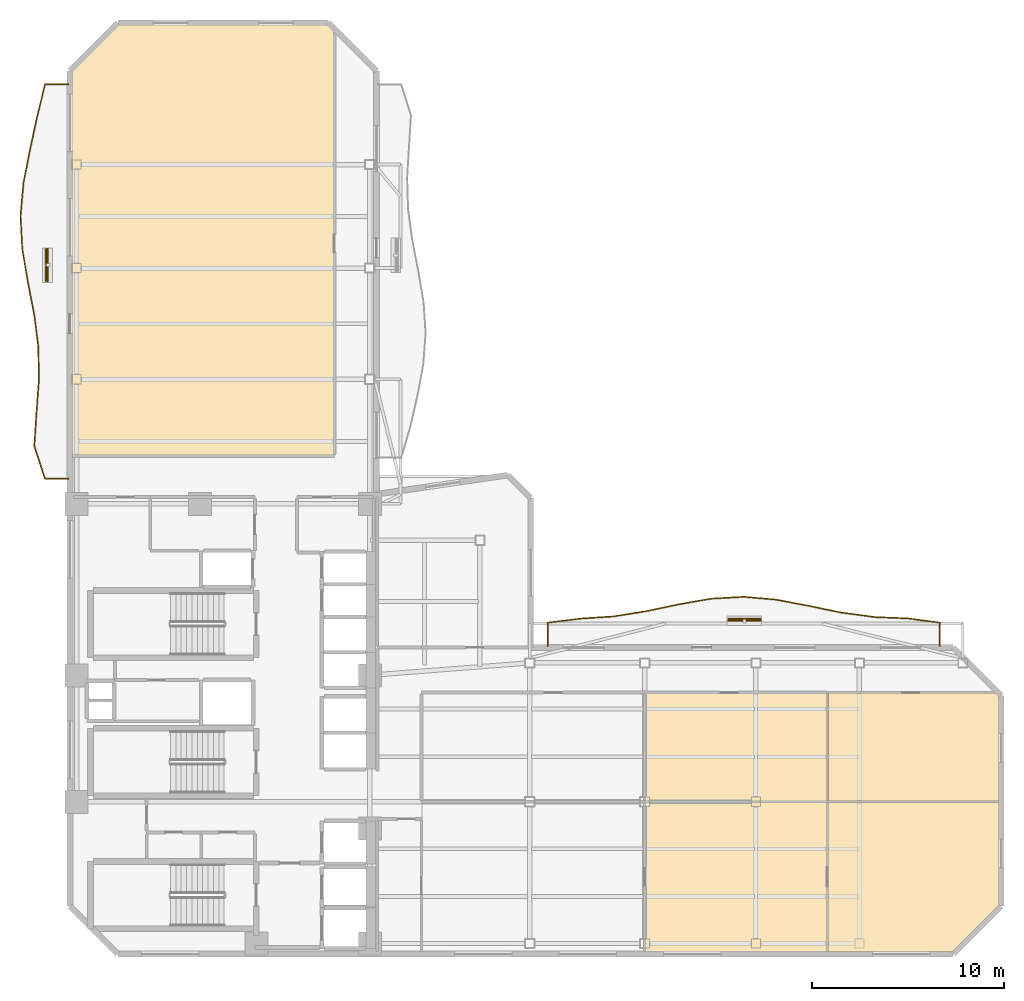
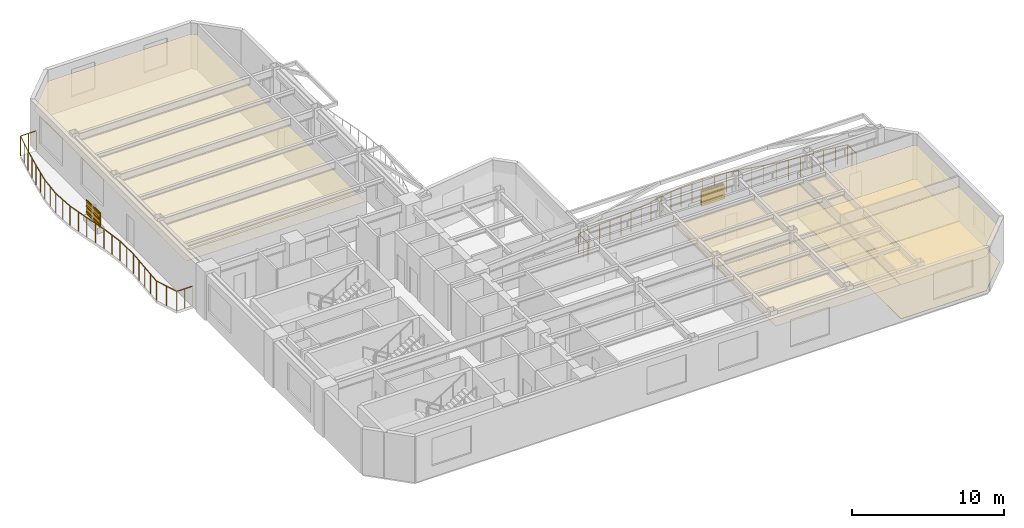
# One storey, part 8 of 9: 8 shading devices, 7 coverings, 2 railings.
"""IFC4 building model written with IfcOpenShell, lengths in metres."""

from ifc_helpers import new_model, si_unit, direction, frame, origin, origin_2d, place, context, subcontext, project, spatial, polyline, rectangle, outline, extrude, material, layer, layer_set, material_profile, profile_set, type_object, element, save


model = new_model("IFC4")

# Units and contexts
model_context = context("Model", 3, precision=1e-05, world=origin(), true_north=direction((0.0, 1.0)))
body_context = subcontext(model_context, "Body", "Model", "MODEL_VIEW")
ifc_project = project(units=[si_unit("LENGTHUNIT", "METRE"), si_unit("AREAUNIT", "SQUARE_METRE"), si_unit("VOLUMEUNIT", "CUBIC_METRE"), si_unit("PLANEANGLEUNIT", "RADIAN"), si_unit("MASSUNIT", "GRAM", prefix="KILO")], contexts=[model_context])

# Site, building, storey
site_placement = place(None, origin())
site = spatial("IfcSite", under=ifc_project, at=site_placement, CompositionType="ELEMENT")
building_placement = place(site_placement, origin())
building = spatial("IfcBuilding", under=site, at=building_placement, Name="Mawjaban Terraces University", CompositionType="ELEMENT")
storey_placement = place(building_placement, frame((0.0, 0.0, 146.300048828125)))
storey = spatial("IfcBuildingStorey", under=building, at=storey_placement, Name="L35", CompositionType="ELEMENT", Elevation=146.300048828125)

# Coverings
ifc_material_1 = material(Name="Acoustic mineral fibre ceiling tile", Category="masonry")
ifc_layer_1 = layer(ifc_material_1, 0.02001953125)
ifc_layer_set_1 = layer_set([ifc_layer_1], Name="Acoustic mineral fibre ceiling tile")
covering_type_1 = type_object("IfcCoveringType", Name="AcousticMineralCeiling_20", PredefinedType="CEILING", material=ifc_layer_set_1)
covering_1_placement = place(storey_placement, frame((0.0, 0.0, 2.75)))
element("IfcCovering", 1, at=covering_1_placement, inside=storey, type_object=covering_type_1, Name="L35 Graduate Study Lounge 4 Acoustic Ceiling", PredefinedType="CEILING", context=body_context, shape_type="SweptSolid", body=[
    extrude(outline(polyline([(52.030029296875, 0.114990234375), (61.4951171875, 0.114990234375), (61.4951171875, 7.919921875), (52.030029296875, 7.919921875), (52.030029296875, 0.114990234375)])), origin(), (0.0, 0.0, 1.0), 0.02001953125),
])
covering_2_placement = place(storey_placement, frame((0.0, 0.0, 2.75)))
element("IfcCovering", 2, at=covering_2_placement, inside=storey, type_object=covering_type_1, Name="L35 Collaborative Study Room 5 Acoustic Ceiling", PredefinedType="CEILING", context=body_context, shape_type="SweptSolid", body=[
    extrude(outline(polyline([(61.4951171875, 7.97998046875), (61.4951171875, 13.6201171875), (52.030029296875, 13.6201171875), (52.030029296875, 7.97998046875), (61.4951171875, 7.97998046875)])), origin(), (0.0, 0.0, 1.0), 0.02001953125),
])
covering_3_placement = place(storey_placement, frame((0.0, 0.0, 2.75)))
element("IfcCovering", 3, at=covering_3_placement, inside=storey, type_object=covering_type_1, Name="L35 Classroom 6 Acoustic Ceiling", PredefinedType="CEILING", context=body_context, shape_type="SweptSolid", body=[
    extrude(outline(polyline([(61.554931640625, 0.114990234375), (68.052978515625, 0.114990234375), (70.485107421875, 2.547119140625), (70.485107421875, 7.919921875), (61.554931640625, 7.919921875), (61.554931640625, 0.114990234375)])), origin(), (0.0, 0.0, 1.0), 0.02001953125),
])
covering_4_placement = place(storey_placement, frame((0.0, 0.0, 2.75)))
element("IfcCovering", 4, at=covering_4_placement, inside=storey, type_object=covering_type_1, Name="L35 Seminar Room 7 Acoustic Ceiling", PredefinedType="CEILING", context=body_context, shape_type="SweptSolid", body=[
    extrude(outline(polyline([(70.485107421875, 7.97998046875), (70.485107421875, 13.452880859375), (70.318115234375, 13.6201171875), (61.554931640625, 13.6201171875), (61.554931640625, 7.97998046875), (70.485107421875, 7.97998046875)])), origin(), (0.0, 0.0, 1.0), 0.02001953125),
])
covering_5_placement = place(storey_placement, frame((0.0, 0.0, 2.75)))
element("IfcCovering", 5, at=covering_5_placement, inside=storey, type_object=covering_type_1, Name="L35 Collaborative Study Room 8 Acoustic Ceiling", PredefinedType="CEILING", context=body_context, shape_type="SweptSolid", body=[
    extrude(outline(polyline([(35.77001953125, 48.16796875), (35.452880859375, 48.485107421875), (24.547119140625, 48.485107421875), (22.114990234375, 46.052978515625), (22.114990234375, 26.030029296875), (35.77001953125, 26.030029296875), (35.77001953125, 48.16796875)])), origin(), (0.0, 0.0, 1.0), 0.02001953125),
])

# Railings
ifc_material_2 = material(Name="Galvanised powder-coated steel S355", Category="steel")
railing_type = type_object("IfcRailingType", Name="BalconyBalustrade_1600", PredefinedType="BALUSTRADE", material=ifc_material_2)
railing_1_placement = place(storey_placement, frame((21.919921875, 24.800048828125, 0.0)))
element("IfcRailing", 6, at=railing_1_placement, inside=storey, type_object=railing_type, Name="L35 Balcony Guardrail west", PredefinedType="BALUSTRADE", context=body_context, shape_type="SweptSolid", body=[
    extrude(rectangle(XDim=0.048095703125, YDim=0.048095703125, at=origin_2d()), frame((0.0, 0.0, 1.576171875), z_axis=(-1.0, 0.0, 0.0), x_axis=(0.0, -1.0, 0.0)), (0.0, 0.0, 1.0), 1.219970703125),
    extrude(rectangle(XDim=0.048095703125, YDim=0.048095703125, at=origin_2d()), frame((-1.219970703125, 0.0, 1.576171875), z_axis=(-0.310586221514, 0.950545211448, 0.0), x_axis=(-0.950545211448, -0.310586221514, 0.0)), (0.0, 0.0, 1.0), 1.806396484375),
    extrude(rectangle(XDim=0.048095703125, YDim=0.048095703125, at=origin_2d()), frame((-1.781005859375, 1.717041015625, 1.576171875), z_axis=(0.064605783038, 0.997910864155, 0.0), x_axis=(-0.997910864155, 0.064605783038, 0.0)), (0.0, 0.0, 1.0), 1.719482421875),
    extrude(rectangle(XDim=0.048095703125, YDim=0.048095703125, at=origin_2d()), frame((-1.669921875, 3.432861328125, 1.576171875), z_axis=(0.073171731503, 0.997319355928, 0.0), x_axis=(-0.997319355928, 0.073171731503, 0.0)), (0.0, 0.0, 1.0), 1.7216796875),
    extrude(rectangle(XDim=0.048095703125, YDim=0.048095703125, at=origin_2d()), frame((-1.5439453125, 5.14990234375, 1.576171875), z_axis=(-0.014501531981, 0.999894847257, 0.0), x_axis=(-0.999894847257, -0.014501531981, 0.0)), (0.0, 0.0, 1.0), 1.71728515625),
    extrude(rectangle(XDim=0.048095703125, YDim=0.048095703125, at=origin_2d()), frame((-1.56884765625, 6.866943359375, 1.576171875), z_axis=(-0.127142957302, 0.991884402745, 0.0), x_axis=(-0.991884402745, -0.127142957302, 0.0)), (0.0, 0.0, 1.0), 1.730224609375),
    extrude(rectangle(XDim=0.048095703125, YDim=0.048095703125, at=origin_2d()), frame((-1.788818359375, 8.5830078125, 1.576171875), z_axis=(-0.190933166115, 0.981603038951, 0.0), x_axis=(-0.981603038951, -0.190933166115, 0.0)), (0.0, 0.0, 1.0), 1.749267578125),
    extrude(rectangle(XDim=0.048095703125, YDim=0.048095703125, at=origin_2d()), frame((-2.122802734375, 10.300048828125, 1.576171875), z_axis=(-0.16494483583, 0.986302793838, 0.0), x_axis=(-0.986302793838, -0.16494483583, 0.0)), (0.0, 0.0, 1.0), 1.74072265625),
    extrude(rectangle(XDim=0.048095703125, YDim=0.048095703125, at=origin_2d()), frame((-2.409912109375, 12.016845703125, 1.576171875), z_axis=(-0.05299131101, 0.998594973429, 0.0), x_axis=(-0.998594973429, -0.05299131101, 0.0)), (0.0, 0.0, 1.0), 1.718505859375),
    extrude(rectangle(XDim=0.048095703125, YDim=0.048095703125, at=origin_2d()), frame((-2.5009765625, 13.73291015625, 1.576171875), z_axis=(0.090484675787, 0.995897847898, 0.0), x_axis=(-0.995897847898, 0.090484675787, 0.0)), (0.0, 0.0, 1.0), 1.72412109375),
    extrude(rectangle(XDim=0.048095703125, YDim=0.048095703125, at=origin_2d()), frame((-2.344970703125, 15.449951171875, 1.576171875), z_axis=(0.191471011635, 0.981498268824, 0.0), x_axis=(-0.981498268824, 0.191471011635, 0.0)), (0.0, 0.0, 1.0), 1.74951171875),
    extrude(rectangle(XDim=0.048095703125, YDim=0.048095703125, at=origin_2d()), frame((-2.010009765625, 17.1669921875, 1.576171875), z_axis=(0.2118927879, 0.977292917418, 0.0), x_axis=(-0.977292917418, 0.2118927879, 0.0)), (0.0, 0.0, 1.0), 1.755859375),
    extrude(rectangle(XDim=0.048095703125, YDim=0.048095703125, at=origin_2d()), frame((-1.637939453125, 18.883056640625, 1.576171875), z_axis=(0.236549016083, 0.971619556715, 0.0), x_axis=(-0.971619556715, 0.236549016083, 0.0)), (0.0, 0.0, 1.0), 1.766845703125),
    extrude(rectangle(XDim=0.048095703125, YDim=0.048095703125, at=origin_2d()), frame((-1.219970703125, 20.599853515625, 1.576171875), z_axis=(1.0, 0.0, 0.0), x_axis=(0.0, 1.0, 0.0)), (0.0, 0.0, 1.0), 1.219970703125),
    extrude(rectangle(XDim=0.0419921875, YDim=0.0419921875, at=origin_2d()), origin(), (0.0, 0.0, 1.0), 1.552001953125),
    extrude(rectangle(XDim=0.0419921875, YDim=0.0419921875, at=origin_2d()), frame((-0.60986328125, 0.0, 0.0)), (0.0, 0.0, 1.0), 1.552001953125),
    extrude(rectangle(XDim=0.0419921875, YDim=0.0419921875, at=origin_2d()), frame((-1.219970703125, 0.0, 0.0)), (0.0, 0.0, 1.0), 1.552001953125),
    extrude(rectangle(XDim=0.0419921875, YDim=0.0419921875, at=origin_2d()), frame((-1.50048828125, 0.8583984375, 0.0)), (0.0, 0.0, 1.0), 1.552001953125),
    extrude(rectangle(XDim=0.0419921875, YDim=0.0419921875, at=origin_2d()), frame((-1.781005859375, 1.717041015625, 0.0)), (0.0, 0.0, 1.0), 1.552001953125),
    extrude(rectangle(XDim=0.0419921875, YDim=0.0419921875, at=origin_2d()), frame((-1.7255859375, 2.574951171875, 0.0)), (0.0, 0.0, 1.0), 1.552001953125),
    extrude(rectangle(XDim=0.0419921875, YDim=0.0419921875, at=origin_2d()), frame((-1.669921875, 3.432861328125, 0.0)), (0.0, 0.0, 1.0), 1.552001953125),
    extrude(rectangle(XDim=0.0419921875, YDim=0.0419921875, at=origin_2d()), frame((-1.60693359375, 4.29150390625, 0.0)), (0.0, 0.0, 1.0), 1.552001953125),
    extrude(rectangle(XDim=0.0419921875, YDim=0.0419921875, at=origin_2d()), frame((-1.5439453125, 5.14990234375, 0.0)), (0.0, 0.0, 1.0), 1.552001953125),
    extrude(rectangle(XDim=0.0419921875, YDim=0.0419921875, at=origin_2d()), frame((-1.556396484375, 6.00830078125, 0.0)), (0.0, 0.0, 1.0), 1.552001953125),
    extrude(rectangle(XDim=0.0419921875, YDim=0.0419921875, at=origin_2d()), frame((-1.56884765625, 6.866943359375, 0.0)), (0.0, 0.0, 1.0), 1.552001953125),
    extrude(rectangle(XDim=0.0419921875, YDim=0.0419921875, at=origin_2d()), frame((-1.6787109375, 7.72509765625, 0.0)), (0.0, 0.0, 1.0), 1.552001953125),
    extrude(rectangle(XDim=0.0419921875, YDim=0.0419921875, at=origin_2d()), frame((-1.788818359375, 8.5830078125, 0.0)), (0.0, 0.0, 1.0), 1.552001953125),
    extrude(rectangle(XDim=0.0419921875, YDim=0.0419921875, at=origin_2d()), frame((-1.955810546875, 9.44140625, 0.0)), (0.0, 0.0, 1.0), 1.552001953125),
    extrude(rectangle(XDim=0.0419921875, YDim=0.0419921875, at=origin_2d()), frame((-2.122802734375, 10.300048828125, 0.0)), (0.0, 0.0, 1.0), 1.552001953125),
    extrude(rectangle(XDim=0.0419921875, YDim=0.0419921875, at=origin_2d()), frame((-2.266357421875, 11.158447265625, 0.0)), (0.0, 0.0, 1.0), 1.552001953125),
    extrude(rectangle(XDim=0.0419921875, YDim=0.0419921875, at=origin_2d()), frame((-2.409912109375, 12.016845703125, 0.0)), (0.0, 0.0, 1.0), 1.552001953125),
    extrude(rectangle(XDim=0.0419921875, YDim=0.0419921875, at=origin_2d()), frame((-2.45556640625, 12.875, 0.0)), (0.0, 0.0, 1.0), 1.552001953125),
    extrude(rectangle(XDim=0.0419921875, YDim=0.0419921875, at=origin_2d()), frame((-2.5009765625, 13.73291015625, 0.0)), (0.0, 0.0, 1.0), 1.552001953125),
    extrude(rectangle(XDim=0.0419921875, YDim=0.0419921875, at=origin_2d()), frame((-2.4228515625, 14.59130859375, 0.0)), (0.0, 0.0, 1.0), 1.552001953125),
    extrude(rectangle(XDim=0.0419921875, YDim=0.0419921875, at=origin_2d()), frame((-2.344970703125, 15.449951171875, 0.0)), (0.0, 0.0, 1.0), 1.552001953125),
    extrude(rectangle(XDim=0.0419921875, YDim=0.0419921875, at=origin_2d()), frame((-2.177490234375, 16.30859375, 0.0)), (0.0, 0.0, 1.0), 1.552001953125),
    extrude(rectangle(XDim=0.0419921875, YDim=0.0419921875, at=origin_2d()), frame((-2.010009765625, 17.1669921875, 0.0)), (0.0, 0.0, 1.0), 1.552001953125),
    extrude(rectangle(XDim=0.0419921875, YDim=0.0419921875, at=origin_2d()), frame((-1.823974609375, 18.02490234375, 0.0)), (0.0, 0.0, 1.0), 1.552001953125),
    extrude(rectangle(XDim=0.0419921875, YDim=0.0419921875, at=origin_2d()), frame((-1.637939453125, 18.883056640625, 0.0)), (0.0, 0.0, 1.0), 1.552001953125),
    extrude(rectangle(XDim=0.0419921875, YDim=0.0419921875, at=origin_2d()), frame((-1.428955078125, 19.741455078125, 0.0)), (0.0, 0.0, 1.0), 1.552001953125),
    extrude(rectangle(XDim=0.0419921875, YDim=0.0419921875, at=origin_2d()), frame((-1.219970703125, 20.599853515625, 0.0)), (0.0, 0.0, 1.0), 1.552001953125),
    extrude(rectangle(XDim=0.0419921875, YDim=0.0419921875, at=origin_2d()), frame((-0.60986328125, 20.599853515625, 0.0)), (0.0, 0.0, 1.0), 1.552001953125),
    extrude(rectangle(XDim=0.0419921875, YDim=0.0419921875, at=origin_2d()), frame((0.0, 20.599853515625, 0.0)), (0.0, 0.0, 1.0), 1.552001953125),
])
railing_2_placement = place(storey_placement, frame((46.946044921875, 16.080078125, 0.0)))
element("IfcRailing", 7, at=railing_2_placement, inside=storey, type_object=railing_type, Name="L35 Balcony Guardrail inner_north", PredefinedType="BALUSTRADE", context=body_context, shape_type="SweptSolid", body=[
    extrude(rectangle(XDim=0.048095703125, YDim=0.048095703125, at=origin_2d()), frame((0.0, 0.0, 1.576171875), z_axis=(0.0, 1.0, 0.0), x_axis=(-1.0, 0.0, 0.0)), (0.0, 0.0, 1.0), 1.219970703125),
    extrude(rectangle(XDim=0.048095703125, YDim=0.048095703125, at=origin_2d()), frame((0.0, 1.219970703125, 1.576171875), z_axis=(0.992362909004, 0.123352571247, 0.0), x_axis=(-0.123352571247, 0.992362909004, 0.0)), (0.0, 0.0, 1.0), 1.718017578125),
    extrude(rectangle(XDim=0.048095703125, YDim=0.048095703125, at=origin_2d()), frame((1.704833984375, 1.431884765625, 1.576171875), z_axis=(0.997844843545, 0.065617590714, 0.0), x_axis=(-0.065617590714, 0.997844843545, 0.0)), (0.0, 0.0, 1.0), 1.707763671875),
    extrude(rectangle(XDim=0.048095703125, YDim=0.048095703125, at=origin_2d()), frame((3.408935546875, 1.5439453125, 1.576171875), z_axis=(0.987677918295, 0.156500254675, 0.0), x_axis=(-0.156500254675, 0.987677918295, 0.0)), (0.0, 0.0, 1.0), 1.725341796875),
    extrude(rectangle(XDim=0.048095703125, YDim=0.048095703125, at=origin_2d()), frame((5.113037109375, 1.81396484375, 1.576171875), z_axis=(0.978439632878, 0.206533011437, 0.0), x_axis=(-0.206533011437, 0.978439632878, 0.0)), (0.0, 0.0, 1.0), 1.742431640625),
    extrude(rectangle(XDim=0.048095703125, YDim=0.048095703125, at=origin_2d()), frame((6.81787109375, 2.173828125, 1.576171875), z_axis=(0.985059192801, 0.172216104583, 0.0), x_axis=(-0.172216104583, 0.985059192801, 0.0)), (0.0, 0.0, 1.0), 1.73095703125),
    extrude(rectangle(XDim=0.048095703125, YDim=0.048095703125, at=origin_2d()), frame((8.52294921875, 2.471923828125, 1.576171875), z_axis=(0.998418703949, 0.05621469207, 0.0), x_axis=(-0.05621469207, 0.998418703949, 0.0)), (0.0, 0.0, 1.0), 1.706787109375),
    extrude(rectangle(XDim=0.048095703125, YDim=0.048095703125, at=origin_2d()), frame((10.22705078125, 2.56787109375, 1.576171875), z_axis=(0.996106673562, -0.088156082523, 0.0), x_axis=(0.088156082523, 0.996106673562, 0.0)), (0.0, 0.0, 1.0), 1.71142578125),
    extrude(rectangle(XDim=0.048095703125, YDim=0.048095703125, at=origin_2d()), frame((11.931884765625, 2.4169921875, 1.576171875), z_axis=(0.982170673042, -0.18799140676, 0.0), x_axis=(0.18799140676, 0.982170673042, 0.0)), (0.0, 0.0, 1.0), 1.735107421875),
    extrude(rectangle(XDim=0.048095703125, YDim=0.048095703125, at=origin_2d()), frame((13.635986328125, 2.0908203125, 1.576171875), z_axis=(0.979702411748, -0.200457437914, 0.0), x_axis=(0.200457437914, 0.979702411748, 0.0)), (0.0, 0.0, 1.0), 1.740478515625),
    extrude(rectangle(XDim=0.048095703125, YDim=0.048095703125, at=origin_2d()), frame((15.341064453125, 1.741943359375, 1.576171875), z_axis=(0.991013300616, -0.133763365694, 0.0), x_axis=(0.133763365694, 0.991013300616, 0.0)), (0.0, 0.0, 1.0), 1.71923828125),
    extrude(rectangle(XDim=0.048095703125, YDim=0.048095703125, at=origin_2d()), frame((17.044921875, 1.511962890625, 1.576171875), z_axis=(0.99920301432, -0.039916615263, 0.0), x_axis=(0.039916615263, 0.99920301432, 0.0)), (0.0, 0.0, 1.0), 1.70654296875),
    extrude(rectangle(XDim=0.048095703125, YDim=0.048095703125, at=origin_2d()), frame((18.75, 1.44384765625, 1.576171875), z_axis=(0.991477972959, -0.130274437771, 0.0), x_axis=(0.130274437771, 0.991477972959, 0.0)), (0.0, 0.0, 1.0), 1.718505859375),
    extrude(rectangle(XDim=0.048095703125, YDim=0.048095703125, at=origin_2d()), frame((20.453857421875, 1.219970703125, 1.576171875), z_axis=(0.0, -1.0, 0.0), x_axis=(1.0, 0.0, 0.0)), (0.0, 0.0, 1.0), 1.219970703125),
    extrude(rectangle(XDim=0.0419921875, YDim=0.0419921875, at=origin_2d()), origin(), (0.0, 0.0, 1.0), 1.552001953125),
    extrude(rectangle(XDim=0.0419921875, YDim=0.0419921875, at=origin_2d()), frame((0.0, 0.60986328125, 0.0)), (0.0, 0.0, 1.0), 1.552001953125),
    extrude(rectangle(XDim=0.0419921875, YDim=0.0419921875, at=origin_2d()), frame((0.0, 1.219970703125, 0.0)), (0.0, 0.0, 1.0), 1.552001953125),
    extrude(rectangle(XDim=0.0419921875, YDim=0.0419921875, at=origin_2d()), frame((0.8525390625, 1.325927734375, 0.0)), (0.0, 0.0, 1.0), 1.552001953125),
    extrude(rectangle(XDim=0.0419921875, YDim=0.0419921875, at=origin_2d()), frame((1.704833984375, 1.431884765625, 0.0)), (0.0, 0.0, 1.0), 1.552001953125),
    extrude(rectangle(XDim=0.0419921875, YDim=0.0419921875, at=origin_2d()), frame((2.556884765625, 1.48779296875, 0.0)), (0.0, 0.0, 1.0), 1.552001953125),
    extrude(rectangle(XDim=0.0419921875, YDim=0.0419921875, at=origin_2d()), frame((3.408935546875, 1.5439453125, 0.0)), (0.0, 0.0, 1.0), 1.552001953125),
    extrude(rectangle(XDim=0.0419921875, YDim=0.0419921875, at=origin_2d()), frame((4.260986328125, 1.678955078125, 0.0)), (0.0, 0.0, 1.0), 1.552001953125),
    extrude(rectangle(XDim=0.0419921875, YDim=0.0419921875, at=origin_2d()), frame((5.113037109375, 1.81396484375, 0.0)), (0.0, 0.0, 1.0), 1.552001953125),
    extrude(rectangle(XDim=0.0419921875, YDim=0.0419921875, at=origin_2d()), frame((5.96533203125, 1.993896484375, 0.0)), (0.0, 0.0, 1.0), 1.552001953125),
    extrude(rectangle(XDim=0.0419921875, YDim=0.0419921875, at=origin_2d()), frame((6.81787109375, 2.173828125, 0.0)), (0.0, 0.0, 1.0), 1.552001953125),
    extrude(rectangle(XDim=0.0419921875, YDim=0.0419921875, at=origin_2d()), frame((7.67041015625, 2.32275390625, 0.0)), (0.0, 0.0, 1.0), 1.552001953125),
    extrude(rectangle(XDim=0.0419921875, YDim=0.0419921875, at=origin_2d()), frame((8.52294921875, 2.471923828125, 0.0)), (0.0, 0.0, 1.0), 1.552001953125),
    extrude(rectangle(XDim=0.0419921875, YDim=0.0419921875, at=origin_2d()), frame((9.375, 2.52001953125, 0.0)), (0.0, 0.0, 1.0), 1.552001953125),
    extrude(rectangle(XDim=0.0419921875, YDim=0.0419921875, at=origin_2d()), frame((10.22705078125, 2.56787109375, 0.0)), (0.0, 0.0, 1.0), 1.552001953125),
    extrude(rectangle(XDim=0.0419921875, YDim=0.0419921875, at=origin_2d()), frame((11.07958984375, 2.492431640625, 0.0)), (0.0, 0.0, 1.0), 1.552001953125),
    extrude(rectangle(XDim=0.0419921875, YDim=0.0419921875, at=origin_2d()), frame((11.931884765625, 2.4169921875, 0.0)), (0.0, 0.0, 1.0), 1.552001953125),
    extrude(rectangle(XDim=0.0419921875, YDim=0.0419921875, at=origin_2d()), frame((12.783935546875, 2.25390625, 0.0)), (0.0, 0.0, 1.0), 1.552001953125),
    extrude(rectangle(XDim=0.0419921875, YDim=0.0419921875, at=origin_2d()), frame((13.635986328125, 2.0908203125, 0.0)), (0.0, 0.0, 1.0), 1.552001953125),
    extrude(rectangle(XDim=0.0419921875, YDim=0.0419921875, at=origin_2d()), frame((14.488525390625, 1.91650390625, 0.0)), (0.0, 0.0, 1.0), 1.552001953125),
    extrude(rectangle(XDim=0.0419921875, YDim=0.0419921875, at=origin_2d()), frame((15.341064453125, 1.741943359375, 0.0)), (0.0, 0.0, 1.0), 1.552001953125),
    extrude(rectangle(XDim=0.0419921875, YDim=0.0419921875, at=origin_2d()), frame((16.19287109375, 1.626953125, 0.0)), (0.0, 0.0, 1.0), 1.552001953125),
    extrude(rectangle(XDim=0.0419921875, YDim=0.0419921875, at=origin_2d()), frame((17.044921875, 1.511962890625, 0.0)), (0.0, 0.0, 1.0), 1.552001953125),
    extrude(rectangle(XDim=0.0419921875, YDim=0.0419921875, at=origin_2d()), frame((17.8974609375, 1.47802734375, 0.0)), (0.0, 0.0, 1.0), 1.552001953125),
    extrude(rectangle(XDim=0.0419921875, YDim=0.0419921875, at=origin_2d()), frame((18.75, 1.44384765625, 0.0)), (0.0, 0.0, 1.0), 1.552001953125),
    extrude(rectangle(XDim=0.0419921875, YDim=0.0419921875, at=origin_2d()), frame((19.60205078125, 1.33203125, 0.0)), (0.0, 0.0, 1.0), 1.552001953125),
    extrude(rectangle(XDim=0.0419921875, YDim=0.0419921875, at=origin_2d()), frame((20.453857421875, 1.219970703125, 0.0)), (0.0, 0.0, 1.0), 1.552001953125),
    extrude(rectangle(XDim=0.0419921875, YDim=0.0419921875, at=origin_2d()), frame((20.453857421875, 0.60986328125, 0.0)), (0.0, 0.0, 1.0), 1.552001953125),
    extrude(rectangle(XDim=0.0419921875, YDim=0.0419921875, at=origin_2d()), frame((20.453857421875, 0.0, 0.0)), (0.0, 0.0, 1.0), 1.552001953125),
])

# Shading devices
ifc_material_3 = material(Name="Glazed architectural terracotta ceramic", Category="masonry")
ifc_material_profile = material_profile(ifc_material_3, rectangle(XDim=0.06494140625, YDim=0.110107421875, at=origin_2d()), Name="TBAG110X65")
ifc_profile_set = profile_set([ifc_material_profile], Name="Glazed architectural terracotta ceramic")
shading_device_type_1 = type_object("IfcShadingDeviceType", Name="TerracottaBaguette_110x65", PredefinedType="USERDEFINED", material=ifc_profile_set)
for number, where, z_axis, x_axis, name in (
    (8, (20.7470703125, 35.10888671875, 0.679931640625), (0.0, 1.0, 0.0), (-1.0, 0.0, 0.0), "L35 Horizontal Terracotta Baguette west.1"),
    (9, (20.7470703125, 35.10888671875, 1.14990234375), (0.0, 1.0, 0.0), (-1.0, 0.0, 0.0), "L35 Horizontal Terracotta Baguette west.2"),
    (10, (20.7470703125, 35.10888671875, 1.619873046875), (0.0, 1.0, 0.0), (-1.0, 0.0, 0.0), "L35 Horizontal Terracotta Baguette west.3"),
):
    element("IfcShadingDevice", number, at=place(storey_placement, frame(where, z_axis=z_axis, x_axis=x_axis)), inside=storey, type_object=shading_device_type_1, Name=name, ObjectType="BAGUETTE", PredefinedType="USERDEFINED", context=body_context, shape_type="SweptSolid", body=[
        extrude(rectangle(XDim=0.06494140625, YDim=0.110107421875, at=origin_2d()), origin(), (0.0, 0.0, 1.0), 1.7001953125),
    ])
for number, where, z_axis, x_axis, name in (
    (11, (56.345947265625, 17.490966796875, 0.679931640625), (1.0, 0.0, 0.0), (0.0, 1.0, 0.0), "L35 Horizontal Terracotta Baguette inner_north.1"),
    (12, (56.345947265625, 17.490966796875, 1.14990234375), (1.0, 0.0, 0.0), (0.0, 1.0, 0.0), "L35 Horizontal Terracotta Baguette inner_north.2"),
    (13, (56.345947265625, 17.490966796875, 1.619873046875), (1.0, 0.0, 0.0), (0.0, 1.0, 0.0), "L35 Horizontal Terracotta Baguette inner_north.3"),
):
    element("IfcShadingDevice", number, at=place(storey_placement, frame(where, z_axis=z_axis, x_axis=x_axis)), inside=storey, type_object=shading_device_type_1, Name=name, ObjectType="BAGUETTE", PredefinedType="USERDEFINED", context=body_context, shape_type="SweptSolid", body=[
        extrude(rectangle(XDim=0.06494140625, YDim=0.110107421875, at=origin_2d()), origin(), (0.0, 0.0, 1.0), 1.699951171875),
    ])
ifc_layer_2 = layer(ifc_material_3, 0.080078125)
ifc_layer_set_2 = layer_set([ifc_layer_2], Name="Glazed architectural terracotta ceramic")
shading_device_type_2 = type_object("IfcShadingDeviceType", Name="TerracottaScreen_Perforated", PredefinedType="USERDEFINED", material=ifc_layer_set_2)
for number, where, z_axis, x_axis, name in (
    (14, (20.83203125, 35.958984375, 0.43994140625), (0.0, 0.0, 1.0), (0.0, 1.0, 0.0), "L35 Balcony Perforated Terracotta Screen west"),
    (15, (57.196044921875, 17.406005859375, 0.43994140625), (0.0, 0.0, 1.0), (1.0, 0.0, 0.0), "L35 Balcony Perforated Terracotta Screen inner_north"),
):
    element("IfcShadingDevice", number, at=place(storey_placement, frame(where, z_axis=z_axis, x_axis=x_axis)), inside=storey, type_object=shading_device_type_2, Name=name, ObjectType="SCREEN", PredefinedType="USERDEFINED", context=body_context, shape_type="SweptSolid", body=[
        extrude(rectangle(XDim=1.75, YDim=0.080078125, at=origin_2d()), origin(), (0.0, 0.0, 1.0), 1.14990234375),
    ])

# Coverings
ifc_material_4 = material(Name="Polished Hijazi granite terrazzo flooring", Category="masonry")
ifc_layer_3 = layer(ifc_material_4, 0.02490234375)
ifc_layer_set_3 = layer_set([ifc_layer_3], Name="Polished Hijazi granite terrazzo flooring")
covering_type_2 = type_object("IfcCoveringType", Name="TerrazzoConcourseFlooring_25", PredefinedType="FLOORING", material=ifc_layer_set_3)
covering_6_placement = place(storey_placement, origin())
element("IfcCovering", 16, at=covering_6_placement, inside=storey, type_object=covering_type_2, Name="L35 Classroom 6 Terrazzo Flooring", PredefinedType="FLOORING", context=body_context, shape_type="SweptSolid", body=[
    extrude(outline(polyline([(61.554931640625, 0.114990234375), (68.052978515625, 0.114990234375), (70.485107421875, 2.547119140625), (70.485107421875, 7.919921875), (61.554931640625, 7.919921875), (61.554931640625, 0.114990234375)])), origin(), (0.0, 0.0, 1.0), 0.02490234375),
])
covering_7_placement = place(storey_placement, origin())
element("IfcCovering", 17, at=covering_7_placement, inside=storey, type_object=covering_type_2, Name="L35 Seminar Room 7 Terrazzo Flooring", PredefinedType="FLOORING", context=body_context, shape_type="SweptSolid", body=[
    extrude(outline(polyline([(70.485107421875, 7.97998046875), (70.485107421875, 13.452880859375), (70.318115234375, 13.6201171875), (61.554931640625, 13.6201171875), (61.554931640625, 7.97998046875), (70.485107421875, 7.97998046875)])), origin(), (0.0, 0.0, 1.0), 0.02490234375),
])

save(model, "model.ifc")
